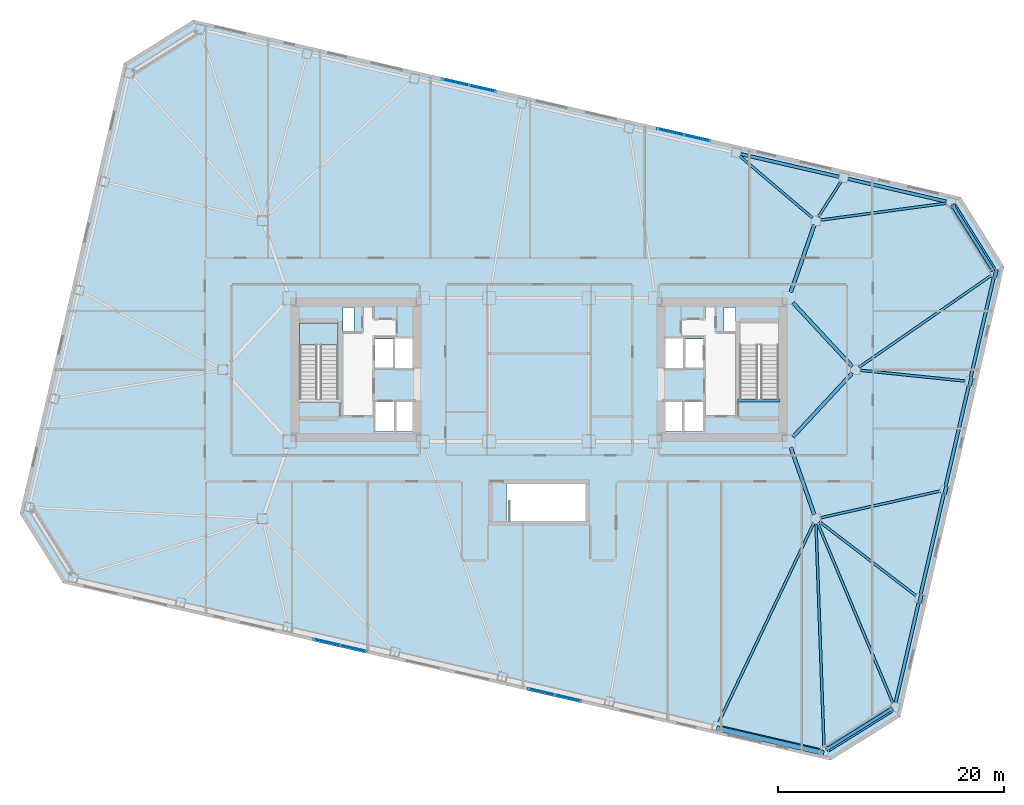
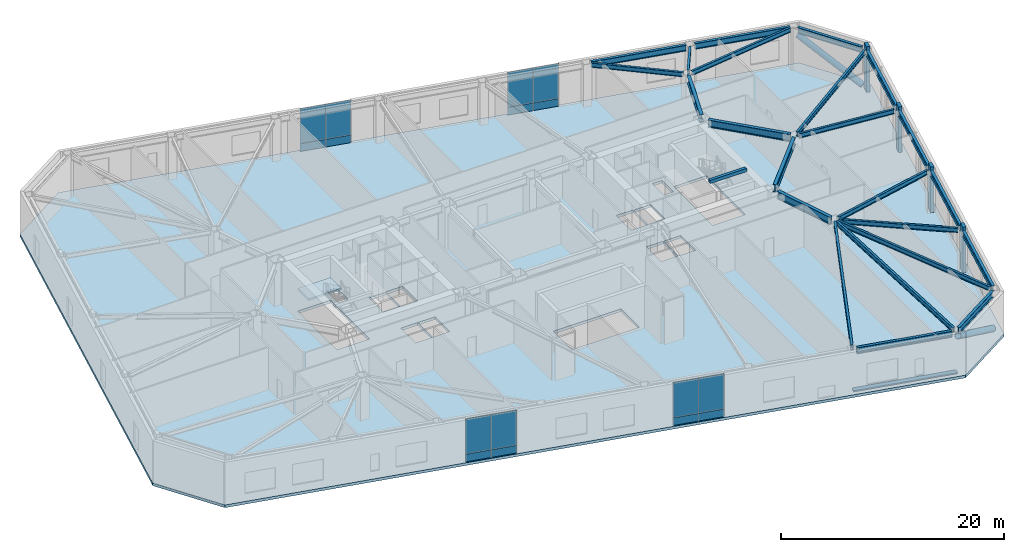
# One storey, part 8 of 19: 24 beams, 16 plates, 7 members, 2 slabs, 5 elements without a shape of their own.
"""IFC4 building model written with IfcOpenShell, lengths in metres."""

from ifc_helpers import new_model, si_unit, direction, frame, origin, origin_2d, place, context, subcontext, project, spatial, polyline, rectangle, hollow_circle, i_section, outline, extrude, material, layer, layer_set, material_profile, profile_set, type_object, element, aggregate, save


model = new_model("IFC4")

# Units and contexts
model_context = context("Model", 3, precision=1e-05, world=origin(), true_north=direction((0.0, 1.0)))
body_context = subcontext(model_context, "Body", "Model", "MODEL_VIEW")
ifc_project = project(units=[si_unit("LENGTHUNIT", "METRE"), si_unit("AREAUNIT", "SQUARE_METRE"), si_unit("VOLUMEUNIT", "CUBIC_METRE"), si_unit("PLANEANGLEUNIT", "RADIAN"), si_unit("MASSUNIT", "GRAM", prefix="KILO")], contexts=[model_context])

# Site, building, storey
site_placement = place(None, origin())
site = spatial("IfcSite", under=ifc_project, at=site_placement, CompositionType="ELEMENT")
building_placement = place(site_placement, origin())
building = spatial("IfcBuilding", under=site, at=building_placement, Name="Tavrogorsk Clinical Tower", CompositionType="ELEMENT")
storey_placement = place(building_placement, frame((0.0, 0.0, 28.39990234375)))
storey = spatial("IfcBuildingStorey", under=building, at=storey_placement, Name="L05", CompositionType="ELEMENT", Elevation=28.39990234375)

# Members
ifc_material_1 = material(Name="Anodised aluminium alloy AW-6063", Category="aluminium")
ifc_material_profile_1 = material_profile(ifc_material_1, rectangle(XDim=0.449951171875, YDim=0.1201171875, at=origin_2d()), Name="ALU-SUNSHADE-450x120")
ifc_profile_set_1 = profile_set([ifc_material_profile_1], Name="Anodised aluminium alloy AW-6063")
member_type_1 = type_object("IfcMemberType", Name="ChicagoSunshade_450x120", PredefinedType="USERDEFINED", material=ifc_profile_set_1)
member_placement = place(storey_placement, frame((15.700439453125, -31.739013671875, 0.18017578125), z_axis=(0.97437219846, -0.224941812182, 0.0), x_axis=(0.224941812182, 0.97437219846, 0.0)))
element("IfcMember", 1, at=member_placement, inside=storey, type_object=member_type_1, Name="L05 South Aluminium Sunshade S7", ObjectType="SUNSHADE", PredefinedType="USERDEFINED", context=body_context, shape_type="SweptSolid", body=[
    extrude(rectangle(XDim=0.449951171875, YDim=0.1201171875, at=origin_2d()), origin(), (0.0, 0.0, 1.0), 9.74853515625),
])
ifc_material_2 = material(Name="Structural steel S440", Category="steel")
ifc_material_profile_2 = material_profile(ifc_material_2, hollow_circle(Radius=0.304931640625, WallThickness=0.02490234375, at=origin_2d()), Name="CHS-610x25")
ifc_profile_set_2 = profile_set([ifc_material_profile_2], Name="Structural steel S440")
member_type_2 = type_object("IfcMemberType", Name="ExoBrace_CHS610", PredefinedType="BRACE", material=ifc_profile_set_2)
for number, where, z_axis, x_axis, name in (
    (2, (31.166748046875, -30.052978515625, 0.482666015625), (-0.758390959589, -0.473887232376, 0.447519880457), (0.529912802348, -0.848052133956, 0.0), "L05 Corner Exoskeleton Brace S8-E1"),
    (3, (40.155029296875, 8.87890625, 0.482666015625), (-0.473912789351, 0.758379114193, 0.447512890591), (-0.848035571098, -0.529939307989, 0.0), "L05 Corner Exoskeleton Brace E5-N1"),
):
    element("IfcMember", number, at=place(storey_placement, frame(where, z_axis=z_axis, x_axis=x_axis)), inside=storey, type_object=member_type_2, Name=name, PredefinedType="BRACE", context=body_context, shape_type="SweptSolid", body=[
        extrude(hollow_circle(Radius=0.304931640625, WallThickness=0.02490234375, at=origin_2d()), origin(), (0.0, 0.0, 1.0), 7.407470703125),
    ])

# Beams
ifc_material_3 = material(Name="Structural steel S355", Category="steel")
ifc_material_profile_3 = material_profile(ifc_material_3, i_section(OverallWidth=0.219970703125, OverallDepth=0.5, WebThickness=0.012939453125, FlangeThickness=0.02001953125, at=origin_2d()), Name="B-500x220x13x20")
ifc_profile_set_3 = profile_set([ifc_material_profile_3], Name="Structural steel S355")
beam_type_1 = type_object("IfcBeamType", Name="FloorBeam_B500", PredefinedType="BEAM", material=ifc_profile_set_3)
beam_1_placement = place(storey_placement, frame((24.323486328125, -13.570068359375, 4.43017578125), z_axis=(-0.430503237889, -0.90258903282, 0.0), x_axis=(0.90258903282, -0.430503237889, 0.0)))
element("IfcBeam", 4, at=beam_1_placement, inside=storey, type_object=beam_type_1, Name="L05 Radial Floor Beam S7", PredefinedType="BEAM", context=body_context, shape_type="SweptSolid", body=[
    extrude(i_section(OverallWidth=0.219970703125, OverallDepth=0.5, WebThickness=0.012939453125, FlangeThickness=0.02001953125, at=origin_2d()), origin(), (0.0, 0.0, 1.0), 19.527587890625),
])
beam_2_placement = place(storey_placement, frame((24.5146484375, -13.609619140625, 4.43017578125), z_axis=(0.035968399295, -0.999352927775, 0.0), x_axis=(0.999352927775, 0.035968399295, 0.0)))
element("IfcBeam", 5, at=beam_2_placement, inside=storey, type_object=beam_type_1, Name="L05 Radial Floor Beam S8", PredefinedType="BEAM", context=body_context, shape_type="SweptSolid", body=[
    extrude(i_section(OverallWidth=0.219970703125, OverallDepth=0.5, WebThickness=0.012939453125, FlangeThickness=0.02001953125, at=origin_2d()), origin(), (0.0, 0.0, 1.0), 19.751953125),
])
beam_3_placement = place(storey_placement, frame((24.90625, 13.254638671875, 4.43017578125), z_axis=(0.991091561022, 0.133182272357, 0.0), x_axis=(-0.133182272357, 0.991091561022, 0.0)))
element("IfcBeam", 6, at=beam_3_placement, inside=storey, type_object=beam_type_1, Name="L05 Radial Floor Beam N1", PredefinedType="BEAM", context=body_context, shape_type="SweptSolid", body=[
    extrude(i_section(OverallWidth=0.219970703125, OverallDepth=0.5, WebThickness=0.012939453125, FlangeThickness=0.02001953125, at=origin_2d()), origin(), (0.0, 0.0, 1.0), 11.24072265625),
])
beam_4_placement = place(storey_placement, frame((24.722412109375, 13.54443359375, 4.43017578125), z_axis=(0.54237908978, 0.840133872052, 0.0), x_axis=(-0.840133872052, 0.54237908978, 0.0)))
element("IfcBeam", 7, at=beam_4_placement, inside=storey, type_object=beam_type_1, Name="L05 Radial Floor Beam N2", PredefinedType="BEAM", context=body_context, shape_type="SweptSolid", body=[
    extrude(i_section(OverallWidth=0.219970703125, OverallDepth=0.5, WebThickness=0.012939453125, FlangeThickness=0.02001953125, at=origin_2d()), origin(), (0.0, 0.0, 1.0), 3.70361328125),
])
beam_5_placement = place(storey_placement, frame((24.187744140625, 13.465576171875, 4.43017578125), z_axis=(-0.761805700094, 0.647805584496, 0.0), x_axis=(-0.647805584496, -0.761805700094, 0.0)))
element("IfcBeam", 8, at=beam_5_placement, inside=storey, type_object=beam_type_1, Name="L05 Radial Floor Beam N3", PredefinedType="BEAM", context=body_context, shape_type="SweptSolid", body=[
    extrude(i_section(OverallWidth=0.219970703125, OverallDepth=0.5, WebThickness=0.012939453125, FlangeThickness=0.02001953125, at=origin_2d()), origin(), (0.0, 0.0, 1.0), 8.431396484375),
])
beam_6_placement = place(storey_placement, frame((24.658447265625, -13.578125, 4.43017578125), z_axis=(0.386243430459, -0.922396884441, 0.0), x_axis=(0.922396884441, 0.386243430459, 0.0)))
element("IfcBeam", 9, at=beam_6_placement, inside=storey, type_object=beam_type_1, Name="L05 Radial Floor Beam E1", PredefinedType="BEAM", context=body_context, shape_type="SweptSolid", body=[
    extrude(i_section(OverallWidth=0.219970703125, OverallDepth=0.5, WebThickness=0.012939453125, FlangeThickness=0.02001953125, at=origin_2d()), origin(), (0.0, 0.0, 1.0), 17.243408203125),
])
beam_7_placement = place(storey_placement, frame((24.825439453125, -13.449462890625, 4.43017578125), z_axis=(0.7934457884, -0.608640929342, 0.0), x_axis=(0.608640929342, 0.7934457884, 0.0)))
element("IfcBeam", 10, at=beam_7_placement, inside=storey, type_object=beam_type_1, Name="L05 Radial Floor Beam E2", PredefinedType="BEAM", context=body_context, shape_type="SweptSolid", body=[
    extrude(i_section(OverallWidth=0.219970703125, OverallDepth=0.5, WebThickness=0.012939453125, FlangeThickness=0.02001953125, at=origin_2d()), origin(), (0.0, 0.0, 1.0), 10.769287109375),
])
beam_8_placement = place(storey_placement, frame((24.900146484375, -13.1103515625, 4.43017578125), z_axis=(0.975844140255, 0.218467878484, 0.0), x_axis=(-0.218467878484, 0.975844140255, 0.0)))
element("IfcBeam", 11, at=beam_8_placement, inside=storey, type_object=beam_type_1, Name="L05 Radial Floor Beam E3", PredefinedType="BEAM", context=body_context, shape_type="SweptSolid", body=[
    extrude(i_section(OverallWidth=0.219970703125, OverallDepth=0.5, WebThickness=0.012939453125, FlangeThickness=0.02001953125, at=origin_2d()), origin(), (0.0, 0.0, 1.0), 10.876708984375),
])
beam_9_placement = place(storey_placement, frame((28.407958984375, -0.041748046875, 4.43017578125), z_axis=(0.994791610226, -0.101929643501, 0.0), x_axis=(0.101929643501, 0.994791610226, 0.0)))
element("IfcBeam", 12, at=beam_9_placement, inside=storey, type_object=beam_type_1, Name="L05 Radial Floor Beam E4", PredefinedType="BEAM", context=body_context, shape_type="SweptSolid", body=[
    extrude(i_section(OverallWidth=0.219970703125, OverallDepth=0.5, WebThickness=0.012939453125, FlangeThickness=0.02001953125, at=origin_2d()), origin(), (0.0, 0.0, 1.0), 9.365234375),
])
beam_10_placement = place(storey_placement, frame((28.3369140625, 0.233642578125, 4.43017578125), z_axis=(0.82154295725, 0.570146620961, 0.0), x_axis=(-0.570146620961, 0.82154295725, 0.0)))
element("IfcBeam", 13, at=beam_10_placement, inside=storey, type_object=beam_type_1, Name="L05 Radial Floor Beam E5", PredefinedType="BEAM", context=body_context, shape_type="SweptSolid", body=[
    extrude(i_section(OverallWidth=0.219970703125, OverallDepth=0.5, WebThickness=0.012939453125, FlangeThickness=0.02001953125, at=origin_2d()), origin(), (0.0, 0.0, 1.0), 14.212646484375),
])

# Members
ifc_material_4 = material(Name="Precast concrete B45 with limestone cladding", Category="masonry")
ifc_material_profile_4 = material_profile(ifc_material_4, rectangle(XDim=0.320068359375, YDim=0.719970703125, at=origin_2d()), Name="LIMESTONE-FIN-320x720")
ifc_profile_set_4 = profile_set([ifc_material_profile_4], Name="Precast concrete B45 with limestone cladding")
member_type_3 = type_object("IfcMemberType", Name="LimestonePleatFin_320x720", PredefinedType="USERDEFINED", material=ifc_profile_set_4)
for number, where, z_axis, x_axis, name in (
    (14, (33.772216796875, -20.2705078125, 0.0), (0.0, 0.0, 1.0), (0.974370064785, -0.224951054344, 0.0), "L05 E Pleated Stone Fin 1"),
    (15, (35.990234375, -10.6630859375, 0.0), (0.0, 0.0, 1.0), (0.974370064785, -0.224951054344, 0.0), "L05 E Pleated Stone Fin 2"),
    (16, (38.208251953125, -1.055908203125, 0.0), (0.0, 0.0, 1.0), (0.974370064785, -0.224951054344, 0.0), "L05 E Pleated Stone Fin 3"),
    (17, (40.42626953125, 8.551513671875, 0.0), (0.0, 0.0, 1.0), (0.974370064785, -0.224951054344, 0.0), "L05 E Pleated Stone Fin 4"),
):
    element("IfcMember", number, at=place(storey_placement, frame(where, z_axis=z_axis, x_axis=x_axis)), inside=storey, type_object=member_type_3, Name=name, ObjectType="FIN", PredefinedType="USERDEFINED", context=body_context, shape_type="SweptSolid", body=[
        extrude(rectangle(XDim=0.320068359375, YDim=0.719970703125, at=origin_2d()), origin(), (0.0, 0.0, 1.0), 5.0),
    ])

# Beams
ifc_material_5 = material(Name="Structural steel S390", Category="steel")
ifc_material_profile_5 = material_profile(ifc_material_5, i_section(OverallWidth=0.320068359375, OverallDepth=0.800048828125, WebThickness=0.02001953125, FlangeThickness=0.033935546875, at=origin_2d()), Name="B-800x320x20x34")
ifc_profile_set_5 = profile_set([ifc_material_profile_5], Name="Structural steel S390")
beam_type_2 = type_object("IfcBeamType", Name="PrimaryGirder_B800", PredefinedType="USERDEFINED", material=ifc_profile_set_5)
for number, where, z_axis, x_axis, name in (
    (18, (24.364501953125, -12.81298828125, 4.280029296875), (-0.330668611543, 0.943746930771, 0.0), (-0.943746930771, -0.330668611543, 0.0), "L05 Spine Link Girder OPG-2"),
    (19, (24.364501953125, 12.81298828125, 4.280029296875), (-0.330668611543, -0.943746930771, 0.0), (0.943746930771, -0.330668611543, 0.0), "L05 Spine Link Girder OPG-4"),
):
    element("IfcBeam", number, at=place(storey_placement, frame(where, z_axis=z_axis, x_axis=x_axis)), inside=storey, type_object=beam_type_2, Name=name, ObjectType="GIRDER", PredefinedType="USERDEFINED", context=body_context, shape_type="SweptSolid", body=[
        extrude(i_section(OverallWidth=0.320068359375, OverallDepth=0.800048828125, WebThickness=0.02001953125, FlangeThickness=0.033935546875, at=origin_2d()), origin(), (0.0, 0.0, 1.0), 6.288330078125),
    ])
for number, where, z_axis, x_axis, name in (
    (20, (27.720947265625, -0.30029296875, 4.280029296875), (-0.680671250221, -0.732589004233, 0.0), (0.732589004233, -0.680671250221, 0.0), "L05 Spine Link Girder OPG-7"),
    (21, (27.720947265625, 0.30029296875, 4.280029296875), (-0.680671250221, 0.732589004233, 0.0), (-0.732589004233, -0.680671250221, 0.0), "L05 Spine Link Girder OPG-8"),
):
    element("IfcBeam", number, at=place(storey_placement, frame(where, z_axis=z_axis, x_axis=x_axis)), inside=storey, type_object=beam_type_2, Name=name, ObjectType="GIRDER", PredefinedType="USERDEFINED", context=body_context, shape_type="SweptSolid", body=[
        extrude(i_section(OverallWidth=0.320068359375, OverallDepth=0.800048828125, WebThickness=0.02001953125, FlangeThickness=0.033935546875, at=origin_2d()), origin(), (0.0, 0.0, 1.0), 7.697998046875),
    ])
ifc_material_6 = material(Name="Structural steel S390", Category="steel")
ifc_material_profile_6 = material_profile(ifc_material_6, i_section(OverallWidth=0.280029296875, OverallDepth=0.64990234375, WebThickness=0.01611328125, FlangeThickness=0.02490234375, at=origin_2d()), Name="B-650x280x16x25")
ifc_profile_set_6 = profile_set([ifc_material_profile_6], Name="Structural steel S390")
beam_type_3 = type_object("IfcBeamType", Name="SpandrelBeam_B650", PredefinedType="SPANDREL", material=ifc_profile_set_6)
beam_11_placement = place(storey_placement, frame((16.138427734375, -31.655517578125, 4.35498046875), z_axis=(0.974372766602, -0.224939351168, 0.0), x_axis=(0.224939351168, 0.974372766602, 0.0)))
element("IfcBeam", 22, at=beam_11_placement, inside=storey, type_object=beam_type_3, Name="L05 Perimeter Spandrel S7-S8", PredefinedType="SPANDREL", context=body_context, shape_type="SweptSolid", body=[
    extrude(i_section(OverallWidth=0.280029296875, OverallDepth=0.64990234375, WebThickness=0.01611328125, FlangeThickness=0.02490234375, at=origin_2d()), origin(), (0.0, 0.0, 1.0), 8.9326171875),
])
beam_12_placement = place(storey_placement, frame((25.585693359375, -33.540283203125, 4.35498046875), z_axis=(0.848061235793, 0.529898235839, 0.0), x_axis=(-0.529898235839, 0.848061235793, 0.0)))
element("IfcBeam", 23, at=beam_12_placement, inside=storey, type_object=beam_type_3, Name="L05 Perimeter Spandrel S8-E1", PredefinedType="SPANDREL", context=body_context, shape_type="SweptSolid", body=[
    extrude(i_section(OverallWidth=0.280029296875, OverallDepth=0.64990234375, WebThickness=0.01611328125, FlangeThickness=0.02490234375, at=origin_2d()), origin(), (0.0, 0.0, 1.0), 6.537841796875),
])
beam_13_placement = place(storey_placement, frame((31.56787109375, -29.462158203125, 4.35498046875), z_axis=(0.224971881043, 0.974365256328, 0.0), x_axis=(-0.974365256328, 0.224971881043, 0.0)))
element("IfcBeam", 24, at=beam_13_placement, inside=storey, type_object=beam_type_3, Name="L05 Perimeter Spandrel E1-E2", PredefinedType="SPANDREL", context=body_context, shape_type="SweptSolid", body=[
    extrude(i_section(OverallWidth=0.280029296875, OverallDepth=0.64990234375, WebThickness=0.01611328125, FlangeThickness=0.02490234375, at=origin_2d()), origin(), (0.0, 0.0, 1.0), 9.044189453125),
])
for number, where, z_axis, x_axis, name in (
    (25, (33.785888671875, -19.85498046875, 4.35498046875), (0.224946252597, 0.974371173343, 0.0), (-0.974371173343, 0.224946252597, 0.0), "L05 Perimeter Spandrel E2-E3"),
    (26, (36.00390625, -10.24755859375, 4.35498046875), (0.224946252597, 0.974371173343, 0.0), (-0.974371173343, 0.224946252597, 0.0), "L05 Perimeter Spandrel E3-E4"),
):
    element("IfcBeam", number, at=place(storey_placement, frame(where, z_axis=z_axis, x_axis=x_axis)), inside=storey, type_object=beam_type_3, Name=name, PredefinedType="SPANDREL", context=body_context, shape_type="SweptSolid", body=[
        extrude(i_section(OverallWidth=0.280029296875, OverallDepth=0.64990234375, WebThickness=0.01611328125, FlangeThickness=0.02490234375, at=origin_2d()), origin(), (0.0, 0.0, 1.0), 9.0439453125),
    ])
beam_14_placement = place(storey_placement, frame((38.221923828125, -0.640380859375, 4.35498046875), z_axis=(0.224971881043, 0.974365256328, 0.0), x_axis=(-0.974365256328, 0.224971881043, 0.0)))
element("IfcBeam", 27, at=beam_14_placement, inside=storey, type_object=beam_type_3, Name="L05 Perimeter Spandrel E4-E5", PredefinedType="SPANDREL", context=body_context, shape_type="SweptSolid", body=[
    extrude(i_section(OverallWidth=0.280029296875, OverallDepth=0.64990234375, WebThickness=0.01611328125, FlangeThickness=0.02490234375, at=origin_2d()), origin(), (0.0, 0.0, 1.0), 9.044189453125),
])
beam_15_placement = place(storey_placement, frame((40.132080078125, 8.91552734375, 4.35498046875), z_axis=(-0.529925092475, 0.848044454239, 0.0), x_axis=(-0.848044454239, -0.529925092475, 0.0)))
element("IfcBeam", 28, at=beam_15_placement, inside=storey, type_object=beam_type_3, Name="L05 Perimeter Spandrel E5-N1", PredefinedType="SPANDREL", context=body_context, shape_type="SweptSolid", body=[
    extrude(i_section(OverallWidth=0.280029296875, OverallDepth=0.64990234375, WebThickness=0.01611328125, FlangeThickness=0.02490234375, at=origin_2d()), origin(), (0.0, 0.0, 1.0), 6.537841796875),
])
for number, where, z_axis, x_axis, name in (
    (29, (36.0537109375, 14.897705078125, 4.35498046875), (-0.974366775889, 0.224965299645, 0.0), (-0.224965299645, -0.974366775889, 0.0), "L05 Perimeter Spandrel N1-N2"),
    (30, (26.554931640625, 17.090576171875, 4.35498046875), (-0.974366775889, 0.224965299645, 0.0), (-0.224965299645, -0.974366775889, 0.0), "L05 Perimeter Spandrel N2-N3"),
):
    element("IfcBeam", number, at=place(storey_placement, frame(where, z_axis=z_axis, x_axis=x_axis)), inside=storey, type_object=beam_type_3, Name=name, PredefinedType="SPANDREL", context=body_context, shape_type="SweptSolid", body=[
        extrude(i_section(OverallWidth=0.280029296875, OverallDepth=0.64990234375, WebThickness=0.01611328125, FlangeThickness=0.02490234375, at=origin_2d()), origin(), (0.0, 0.0, 1.0), 8.9326171875),
    ])
ifc_material_7 = material(Name="Concrete B60", Category="concrete")
ifc_material_profile_7 = material_profile(ifc_material_7, rectangle(XDim=0.300048828125, YDim=0.35009765625, at=origin_2d()), Name="RC-SHB-300x350")
ifc_profile_set_7 = profile_set([ifc_material_profile_7], Name="Concrete B60")
beam_type_4 = type_object("IfcBeamType", Name="StairHeaderBeam_RC300x350", PredefinedType="BEAM", material=ifc_profile_set_7)
beam_16_placement = place(storey_placement, frame((17.550048828125, -2.719970703125, 4.8251953125), z_axis=(1.0, 0.0, 0.0), x_axis=(0.0, 1.0, 0.0)))
element("IfcBeam", 31, at=beam_16_placement, inside=storey, type_object=beam_type_4, Name="L06 ST-E Landing Header Beam", PredefinedType="BEAM", context=body_context, shape_type="SweptSolid", body=[
    extrude(rectangle(XDim=0.300048828125, YDim=0.35009765625, at=origin_2d()), origin(), (0.0, 0.0, 1.0), 3.800048828125),
])

# Curtain wall, plates
ifc_material_8 = material(Name="Anodised aluminium and triple IGU glazing", Category="aluminium")
ifc_layer_1 = layer(ifc_material_8, 0.179931640625)
ifc_layer_set_1 = layer_set([ifc_layer_1], Name="Anodised aluminium and triple IGU glazing")
curtain_wall_type_1 = type_object("IfcCurtainWallType", Name="CW3_SouthSlot", PredefinedType="NOTDEFINED", material=ifc_layer_set_1)
curtain_wall_1_placement = place(storey_placement, origin())
curtain_wall_1 = element("IfcCurtainWall", 32, at=curtain_wall_1_placement, inside=storey, type_object=curtain_wall_type_1, Name="L05 Curtain Wall CW-L05-S-SLOT-1", PredefinedType="NOTDEFINED")
ifc_material_9 = material(Name="Honed Podolsk limestone spandrel panel", Category="masonry")
ifc_layer_2 = layer(ifc_material_9, 0.080078125)
ifc_layer_set_2 = layer_set([ifc_layer_2], Name="Honed Podolsk limestone spandrel panel")
plate_type_1 = type_object("IfcPlateType", Name="CwSpandrelStonePanel_80", PredefinedType="CURTAIN_PANEL", material=ifc_layer_set_2)
plate_1_placement = place(storey_placement, frame((-18.79638671875, -24.113525390625, 0.002197265625), z_axis=(0.0, 0.0, 1.0), x_axis=(0.974370046851, -0.224951132027, 0.0)))
plate_1 = element("IfcPlate", 33, at=plate_1_placement, type_object=plate_type_1, Name="CW-L05-S-SLOT-1 Stone Spandrel Panel 1", PredefinedType="CURTAIN_PANEL", context=body_context, shape_type="SweptSolid", body=[
    extrude(rectangle(XDim=2.39208984375, YDim=0.080078125, at=origin_2d()), origin(), (0.0, 0.0, 1.0), 0.8359375),
])
plate_2_placement = place(storey_placement, frame((-16.442138671875, -24.656982421875, 0.002197265625), z_axis=(0.0, 0.0, 1.0), x_axis=(0.974370046851, -0.224951132027, 0.0)))
plate_2 = element("IfcPlate", 34, at=plate_2_placement, type_object=plate_type_1, Name="CW-L05-S-SLOT-1 Stone Spandrel Panel 2", PredefinedType="CURTAIN_PANEL", context=body_context, shape_type="SweptSolid", body=[
    extrude(rectangle(XDim=2.39208984375, YDim=0.080078125, at=origin_2d()), origin(), (0.0, 0.0, 1.0), 0.8359375),
])

curtain_wall_2_placement = place(storey_placement, origin())
curtain_wall_2 = element("IfcCurtainWall", 35, at=curtain_wall_2_placement, inside=storey, type_object=curtain_wall_type_1, Name="L05 Curtain Wall CW-L05-S-SLOT-2", PredefinedType="NOTDEFINED")
plate_3_placement = place(storey_placement, frame((0.201171875, -28.49951171875, 0.002197265625), z_axis=(0.0, 0.0, 1.0), x_axis=(0.974370102963, -0.224950888978, 0.0)))
plate_3 = element("IfcPlate", 36, at=plate_3_placement, type_object=plate_type_1, Name="CW-L05-S-SLOT-2 Stone Spandrel Panel 1", PredefinedType="CURTAIN_PANEL", context=body_context, shape_type="SweptSolid", body=[
    extrude(rectangle(XDim=2.39208984375, YDim=0.080078125, at=origin_2d()), origin(), (0.0, 0.0, 1.0), 0.8359375),
])
plate_4_placement = place(storey_placement, frame((2.55517578125, -29.04296875, 0.002197265625), z_axis=(0.0, 0.0, 1.0), x_axis=(0.974370102963, -0.224950888978, 0.0)))
plate_4 = element("IfcPlate", 37, at=plate_4_placement, type_object=plate_type_1, Name="CW-L05-S-SLOT-2 Stone Spandrel Panel 2", PredefinedType="CURTAIN_PANEL", context=body_context, shape_type="SweptSolid", body=[
    extrude(rectangle(XDim=2.39208984375, YDim=0.080078125, at=origin_2d()), origin(), (0.0, 0.0, 1.0), 0.8359375),
])

ifc_material_10 = material(Name="Anodised aluminium and triple IGU glazing", Category="aluminium")
ifc_layer_3 = layer(ifc_material_10, 0.179931640625)
ifc_layer_set_3 = layer_set([ifc_layer_3], Name="Anodised aluminium and triple IGU glazing")
curtain_wall_type_2 = type_object("IfcCurtainWallType", Name="CW2_NorthSlot", PredefinedType="NOTDEFINED", material=ifc_layer_set_3)
curtain_wall_3_placement = place(storey_placement, origin())
curtain_wall_3 = element("IfcCurtainWall", 38, at=curtain_wall_3_placement, inside=storey, type_object=curtain_wall_type_2, Name="L05 Curtain Wall CW-L05-N-SLOT-1", PredefinedType="NOTDEFINED")
plate_5_placement = place(storey_placement, frame((-5.001220703125, 24.8994140625, 0.002197265625), z_axis=(0.0, 0.0, 1.0), x_axis=(-0.974370102963, 0.224950888978, 0.0)))
plate_5 = element("IfcPlate", 39, at=plate_5_placement, type_object=plate_type_1, Name="CW-L05-N-SLOT-1 Stone Spandrel Panel 1", PredefinedType="CURTAIN_PANEL", context=body_context, shape_type="SweptSolid", body=[
    extrude(rectangle(XDim=2.39208984375, YDim=0.080078125, at=origin_2d()), origin(), (0.0, 0.0, 1.0), 0.8359375),
])
plate_6_placement = place(storey_placement, frame((-7.355224609375, 25.44287109375, 0.002197265625), z_axis=(0.0, 0.0, 1.0), x_axis=(-0.974370102963, 0.224950888978, 0.0)))
plate_6 = element("IfcPlate", 40, at=plate_6_placement, type_object=plate_type_1, Name="CW-L05-N-SLOT-1 Stone Spandrel Panel 2", PredefinedType="CURTAIN_PANEL", context=body_context, shape_type="SweptSolid", body=[
    extrude(rectangle(XDim=2.39208984375, YDim=0.080078125, at=origin_2d()), origin(), (0.0, 0.0, 1.0), 0.8359375),
])

curtain_wall_4_placement = place(storey_placement, origin())
curtain_wall_4 = element("IfcCurtainWall", 41, at=curtain_wall_4_placement, inside=storey, type_object=curtain_wall_type_2, Name="L05 Curtain Wall CW-L05-N-SLOT-2", PredefinedType="NOTDEFINED")
plate_7_placement = place(storey_placement, frame((13.996337890625, 20.513427734375, 0.002197265625), z_axis=(0.0, 0.0, 1.0), x_axis=(-0.974370046851, 0.224951132027, 0.0)))
plate_7 = element("IfcPlate", 42, at=plate_7_placement, type_object=plate_type_1, Name="CW-L05-N-SLOT-2 Stone Spandrel Panel 1", PredefinedType="CURTAIN_PANEL", context=body_context, shape_type="SweptSolid", body=[
    extrude(rectangle(XDim=2.39208984375, YDim=0.080078125, at=origin_2d()), origin(), (0.0, 0.0, 1.0), 0.8359375),
])
plate_8_placement = place(storey_placement, frame((11.642333984375, 21.05712890625, 0.002197265625), z_axis=(0.0, 0.0, 1.0), x_axis=(-0.974370046851, 0.224951132027, 0.0)))
plate_8 = element("IfcPlate", 43, at=plate_8_placement, type_object=plate_type_1, Name="CW-L05-N-SLOT-2 Stone Spandrel Panel 2", PredefinedType="CURTAIN_PANEL", context=body_context, shape_type="SweptSolid", body=[
    extrude(rectangle(XDim=2.39208984375, YDim=0.080078125, at=origin_2d()), origin(), (0.0, 0.0, 1.0), 0.8359375),
])

# Plate
ifc_material_11 = material(Name="Triple low-E argon insulated glass", Category="glass")
ifc_layer_4 = layer(ifc_material_11, 0.048095703125)
ifc_layer_set_4 = layer_set([ifc_layer_4], Name="Triple low-E argon insulated glass")
plate_type_2 = type_object("IfcPlateType", Name="CwVisionGlassPanel_48", PredefinedType="CURTAIN_PANEL", material=ifc_layer_set_4)
plate_9_placement = place(storey_placement, frame((-18.79638671875, -24.113525390625, 0.862060546875), z_axis=(0.0, 0.0, 1.0), x_axis=(0.974370046851, -0.224951132027, 0.0)))
plate_9 = element("IfcPlate", 44, at=plate_9_placement, type_object=plate_type_2, Name="CW-L05-S-SLOT-1 Glazing Panel 1", PredefinedType="CURTAIN_PANEL", context=body_context, shape_type="SweptSolid", body=[
    extrude(rectangle(XDim=2.39208984375, YDim=0.048095703125, at=origin_2d()), origin(), (0.0, 0.0, 1.0), 3.81591796875),
])

plate_10_placement = place(storey_placement, frame((-16.442138671875, -24.656982421875, 0.862060546875), z_axis=(0.0, 0.0, 1.0), x_axis=(0.974370046851, -0.224951132027, 0.0)))
plate_10 = element("IfcPlate", 45, at=plate_10_placement, type_object=plate_type_2, Name="CW-L05-S-SLOT-1 Glazing Panel 2", PredefinedType="CURTAIN_PANEL", context=body_context, shape_type="SweptSolid", body=[
    extrude(rectangle(XDim=2.39208984375, YDim=0.048095703125, at=origin_2d()), origin(), (0.0, 0.0, 1.0), 3.81591796875),
])

aggregate(curtain_wall_1, [plate_1, plate_9, plate_2, plate_10])

plate_11_placement = place(storey_placement, frame((0.201171875, -28.49951171875, 0.862060546875), z_axis=(0.0, 0.0, 1.0), x_axis=(0.974370102963, -0.224950888978, 0.0)))
plate_11 = element("IfcPlate", 46, at=plate_11_placement, type_object=plate_type_2, Name="CW-L05-S-SLOT-2 Glazing Panel 1", PredefinedType="CURTAIN_PANEL", context=body_context, shape_type="SweptSolid", body=[
    extrude(rectangle(XDim=2.39208984375, YDim=0.048095703125, at=origin_2d()), origin(), (0.0, 0.0, 1.0), 3.81591796875),
])

plate_12_placement = place(storey_placement, frame((2.55517578125, -29.04296875, 0.862060546875), z_axis=(0.0, 0.0, 1.0), x_axis=(0.974370102963, -0.224950888978, 0.0)))
plate_12 = element("IfcPlate", 47, at=plate_12_placement, type_object=plate_type_2, Name="CW-L05-S-SLOT-2 Glazing Panel 2", PredefinedType="CURTAIN_PANEL", context=body_context, shape_type="SweptSolid", body=[
    extrude(rectangle(XDim=2.39208984375, YDim=0.048095703125, at=origin_2d()), origin(), (0.0, 0.0, 1.0), 3.81591796875),
])

aggregate(curtain_wall_2, [plate_3, plate_11, plate_4, plate_12])

plate_13_placement = place(storey_placement, frame((-5.001220703125, 24.8994140625, 0.862060546875), z_axis=(0.0, 0.0, 1.0), x_axis=(-0.974370102963, 0.224950888978, 0.0)))
plate_13 = element("IfcPlate", 48, at=plate_13_placement, type_object=plate_type_2, Name="CW-L05-N-SLOT-1 Glazing Panel 1", PredefinedType="CURTAIN_PANEL", context=body_context, shape_type="SweptSolid", body=[
    extrude(rectangle(XDim=2.39208984375, YDim=0.048095703125, at=origin_2d()), origin(), (0.0, 0.0, 1.0), 3.81591796875),
])

plate_14_placement = place(storey_placement, frame((-7.355224609375, 25.44287109375, 0.862060546875), z_axis=(0.0, 0.0, 1.0), x_axis=(-0.974370102963, 0.224950888978, 0.0)))
plate_14 = element("IfcPlate", 49, at=plate_14_placement, type_object=plate_type_2, Name="CW-L05-N-SLOT-1 Glazing Panel 2", PredefinedType="CURTAIN_PANEL", context=body_context, shape_type="SweptSolid", body=[
    extrude(rectangle(XDim=2.39208984375, YDim=0.048095703125, at=origin_2d()), origin(), (0.0, 0.0, 1.0), 3.81591796875),
])

aggregate(curtain_wall_3, [plate_5, plate_13, plate_6, plate_14])

plate_15_placement = place(storey_placement, frame((13.996337890625, 20.513427734375, 0.862060546875), z_axis=(0.0, 0.0, 1.0), x_axis=(-0.974370046851, 0.224951132027, 0.0)))
plate_15 = element("IfcPlate", 50, at=plate_15_placement, type_object=plate_type_2, Name="CW-L05-N-SLOT-2 Glazing Panel 1", PredefinedType="CURTAIN_PANEL", context=body_context, shape_type="SweptSolid", body=[
    extrude(rectangle(XDim=2.39208984375, YDim=0.048095703125, at=origin_2d()), origin(), (0.0, 0.0, 1.0), 3.81591796875),
])

plate_16_placement = place(storey_placement, frame((11.642333984375, 21.05712890625, 0.862060546875), z_axis=(0.0, 0.0, 1.0), x_axis=(-0.974370046851, 0.224951132027, 0.0)))
plate_16 = element("IfcPlate", 51, at=plate_16_placement, type_object=plate_type_2, Name="CW-L05-N-SLOT-2 Glazing Panel 2", PredefinedType="CURTAIN_PANEL", context=body_context, shape_type="SweptSolid", body=[
    extrude(rectangle(XDim=2.39208984375, YDim=0.048095703125, at=origin_2d()), origin(), (0.0, 0.0, 1.0), 3.81591796875),
])

aggregate(curtain_wall_4, [plate_7, plate_15, plate_8, plate_16])

# Slab
ifc_material_12 = material(Name="Concrete B60", Category="concrete")
ifc_layer_5 = layer(ifc_material_12, 0.300048828125)
ifc_layer_set_5 = layer_set([ifc_layer_5], Name="Concrete B60")
slab_type_1 = type_object("IfcSlabType", Name="PodiumSlab_300", PredefinedType="FLOOR", material=ifc_layer_set_5)
slab_1_placement = place(storey_placement, frame((0.0, 0.0, -0.2998046875)))
element("IfcSlab", 52, at=slab_1_placement, inside=storey, type_object=slab_type_1, Name="L05 Structural Slab", PredefinedType="FLOOR", context=body_context, shape_type="SweptSolid", body=[
    extrude(outline(polyline([(-42.06689453125, -18.91552734375), (25.749267578125, -34.572265625), (31.98583984375, -30.67529296875), (41.163818359375, 9.0791015625), (37.266845703125, 15.315673828125), (-30.54931640625, 30.97216796875), (-36.785888671875, 27.0751953125), (-45.9638671875, -12.67919921875), (-42.06689453125, -18.91552734375)]), holes=[polyline([(-17.800048828125, -2.8798828125), (-17.800048828125, 4.125), (-21.199951171875, 4.125), (-21.199951171875, -2.8798828125), (-17.800048828125, -2.8798828125)]), polyline([(21.199951171875, -2.8798828125), (21.199951171875, 4.125), (17.800048828125, 4.125), (17.800048828125, -2.8798828125), (21.199951171875, -2.8798828125)]), polyline([(-2.8798828125, -13.39990234375), (4.125, -13.39990234375), (4.125, -10.10009765625), (-2.8798828125, -10.10009765625), (-2.8798828125, -13.39990234375)]), polyline([(-14.6201171875, 0.169921875), (-12.860107421875, 0.169921875), (-12.860107421875, 2.72998046875), (-14.6201171875, 2.72998046875), (-14.6201171875, 0.169921875)]), polyline([(-14.530029296875, -5.47998046875), (-12.77001953125, -5.47998046875), (-12.77001953125, -2.820068359375), (-14.530029296875, -2.820068359375), (-14.530029296875, -5.47998046875)]), polyline([(-12.72998046875, -5.47998046875), (-10.969970703125, -5.47998046875), (-10.969970703125, -2.820068359375), (-12.72998046875, -2.820068359375), (-12.72998046875, -5.47998046875)]), polyline([(-12.840087890625, 0.1201171875), (-11.080078125, 0.1201171875), (-11.080078125, 2.780029296875), (-12.840087890625, 2.780029296875), (-12.840087890625, 0.1201171875)]), polyline([(12.860107421875, 0.169921875), (14.6201171875, 0.169921875), (14.6201171875, 2.72998046875), (12.860107421875, 2.72998046875), (12.860107421875, 0.169921875)]), polyline([(12.77001953125, -5.47998046875), (14.530029296875, -5.47998046875), (14.530029296875, -2.820068359375), (12.77001953125, -2.820068359375), (12.77001953125, -5.47998046875)]), polyline([(10.969970703125, -5.47998046875), (12.72998046875, -5.47998046875), (12.72998046875, -2.820068359375), (10.969970703125, -2.820068359375), (10.969970703125, -5.47998046875)]), polyline([(11.080078125, 0.1201171875), (12.840087890625, 0.1201171875), (12.840087890625, 2.780029296875), (11.080078125, 2.780029296875), (11.080078125, 0.1201171875)]), polyline([(-17.3798828125, 3.449951171875), (-16.3798828125, 3.449951171875), (-16.3798828125, 5.5), (-17.3798828125, 5.5), (-17.3798828125, 3.449951171875)]), polyline([(16.3798828125, 3.449951171875), (17.3798828125, 3.449951171875), (17.3798828125, 5.5), (16.3798828125, 5.5), (16.3798828125, 3.449951171875)])]), origin(), (0.0, 0.0, 1.0), 0.2998046875),
])

# Stair, slab
ifc_material_13 = material(Name="Concrete B60", Category="concrete")
stair_type = type_object("IfcStairType", Name="CoreStairAssembly", PredefinedType="HALF_TURN_STAIR", material=ifc_material_13)
stair_placement = place(storey_placement, origin())
stair = element("IfcStair", 53, at=stair_placement, inside=storey, type_object=stair_type, Name="L05 ST-W", PredefinedType="HALF_TURN_STAIR")
ifc_material_14 = material(Name="Concrete B60", Category="concrete")
ifc_layer_6 = layer(ifc_material_14, 0.199951171875)
ifc_layer_set_6 = layer_set([ifc_layer_6], Name="Concrete B60")
slab_type_2 = type_object("IfcSlabType", Name="StairLanding_200", PredefinedType="LANDING", material=ifc_layer_set_6)
slab_2_placement = place(storey_placement, frame((0.0, 0.0, 2.300048828125)))
slab_2 = element("IfcSlab", 54, at=slab_2_placement, type_object=slab_type_2, Name="ST-W landing 1", PredefinedType="LANDING", context=body_context, shape_type="SweptSolid", body=[
    extrude(outline(polyline([(-17.800048828125, 2.18505859375), (-17.800048828125, 4.125), (-21.199951171875, 4.125), (-21.199951171875, 2.18505859375), (-17.800048828125, 2.18505859375)])), origin(), (0.0, 0.0, 1.0), 0.199951171875),
])
aggregate(stair, [slab_2])

save(model, "model.ifc")
